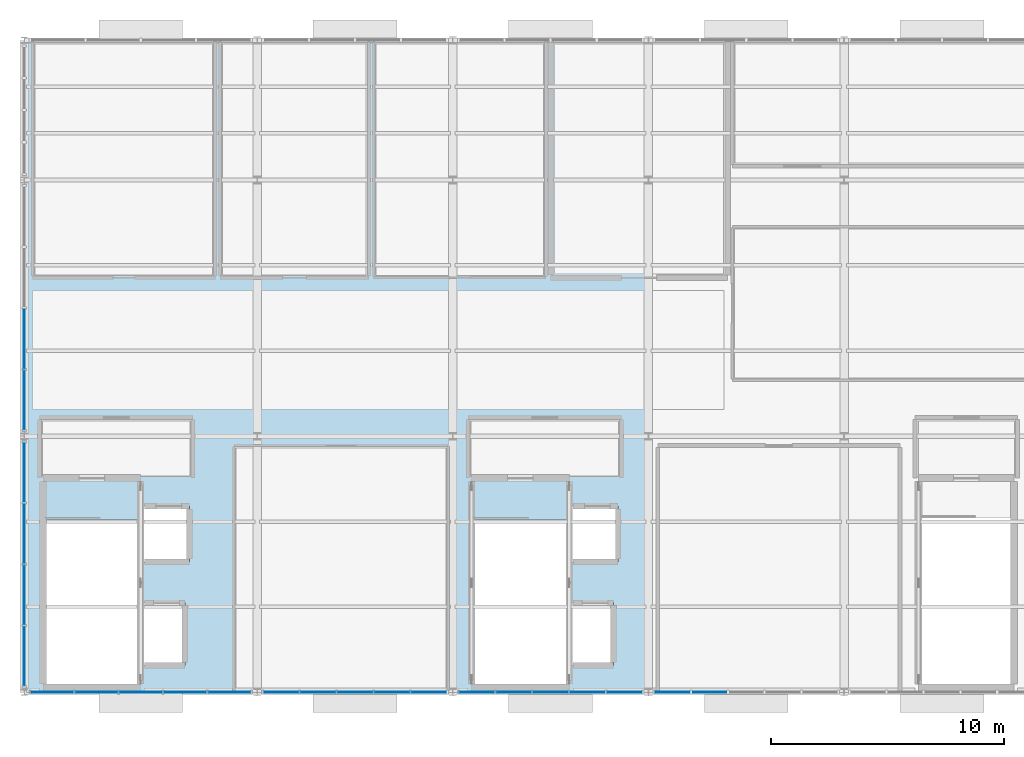
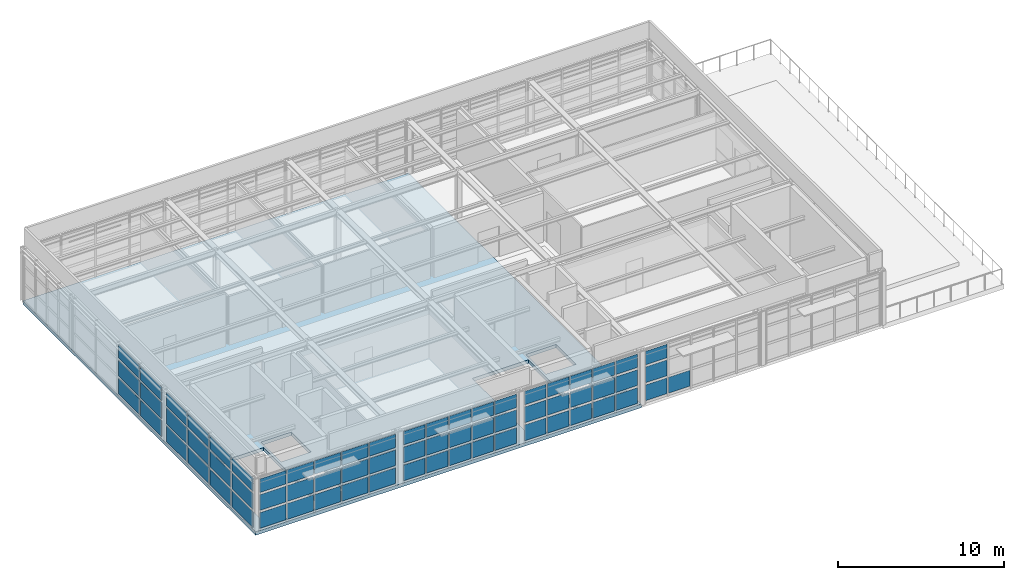
# One storey, part 11 of 18: 67 plates, 1 slab, 6 elements without a shape of their own.
"""IFC4 building model written with IfcOpenShell, lengths in metres."""

from ifc_helpers import new_model, si_unit, direction, frame, origin, origin_2d, place, context, subcontext, project, spatial, polyline, rectangle, outline, extrude, material, layer, layer_set, type_object, element, aggregate, save


model = new_model("IFC4")

# Units and contexts
model_context = context("Model", 3, precision=1e-05, world=origin(), true_north=direction((0.0, 1.0)))
body_context = subcontext(model_context, "Body", "Model", "MODEL_VIEW")
ifc_project = project(units=[si_unit("LENGTHUNIT", "METRE"), si_unit("AREAUNIT", "SQUARE_METRE"), si_unit("VOLUMEUNIT", "CUBIC_METRE"), si_unit("PLANEANGLEUNIT", "RADIAN"), si_unit("MASSUNIT", "GRAM", prefix="KILO")], contexts=[model_context])

# Site, building, storey
site_placement = place(None, origin())
site = spatial("IfcSite", under=ifc_project, at=site_placement, CompositionType="ELEMENT")
building_placement = place(site_placement, origin())
building = spatial("IfcBuilding", under=site, at=building_placement, Name="Sitalva Quay Ferry Terminal", CompositionType="ELEMENT")
storey_placement = place(building_placement, frame((0.0, 0.0, 18.60009765625)))
storey = spatial("IfcBuildingStorey", under=building, at=storey_placement, Name="L05", CompositionType="ELEMENT", Elevation=18.60009765625)

# Curtain wall, plates
ifc_material_1 = material(Name="Anodised Aluminium & Low-E Glazing", Category="aluminium")
ifc_layer_1 = layer(ifc_material_1, 0.159912109375)
ifc_layer_set_1 = layer_set([ifc_layer_1], Name="Anodised Aluminium & Low-E Glazing")
curtain_wall_type = type_object("IfcCurtainWallType", Name="CW_VTS_Sloped", PredefinedType="USERDEFINED", material=ifc_layer_set_1)
curtain_wall_1_placement = place(storey_placement, origin())
curtain_wall_1 = element("IfcCurtainWall", 1, at=curtain_wall_1_placement, inside=storey, type_object=curtain_wall_type, Name="L05 VTS west panoramic glazing (CW-L05-149)", ObjectType="CURTAIN_WALL", PredefinedType="USERDEFINED")
ifc_material_2 = material(Name="Acoustic Laminated Marine Glazing", Category="glass")
ifc_layer_2 = layer(ifc_material_2, 0.033935546875)
ifc_layer_set_2 = layer_set([ifc_layer_2], Name="Acoustic Laminated Marine Glazing")
plate_type = type_object("IfcPlateType", Name="Panel_Marine_IGU_34", PredefinedType="CURTAIN_PANEL", material=ifc_layer_set_2)
plate_1_placement = place(storey_placement, frame((74.0, 79.554931640625, 0.1650390625), z_axis=(0.0, 0.0, 1.0), x_axis=(0.0, 1.0, 0.0)))
plate_1 = element("IfcPlate", 2, at=plate_1_placement, type_object=plate_type, Name="CW-L05-149-P0-0", PredefinedType="CURTAIN_PANEL", context=body_context, shape_type="SweptSolid", body=[
    extrude(rectangle(XDim=2.5400390625, YDim=0.033935546875, at=origin_2d()), origin(), (0.0, 0.0, 1.0), 1.155029296875),
])
plate_2_placement = place(storey_placement, frame((74.0, 79.554931640625, 1.48486328125), z_axis=(0.0, 0.0, 1.0), x_axis=(0.0, 1.0, 0.0)))
plate_2 = element("IfcPlate", 3, at=plate_2_placement, type_object=plate_type, Name="CW-L05-149-P0-1", PredefinedType="CURTAIN_PANEL", context=body_context, shape_type="SweptSolid", body=[
    extrude(rectangle(XDim=2.5400390625, YDim=0.033935546875, at=origin_2d()), origin(), (0.0, 0.0, 1.0), 1.155029296875),
])
plate_3_placement = place(storey_placement, frame((74.0, 79.554931640625, 2.8046875), z_axis=(0.0, 0.0, 1.0), x_axis=(0.0, 1.0, 0.0)))
plate_3 = element("IfcPlate", 4, at=plate_3_placement, type_object=plate_type, Name="CW-L05-149-P0-2", PredefinedType="CURTAIN_PANEL", context=body_context, shape_type="SweptSolid", body=[
    extrude(rectangle(XDim=2.5400390625, YDim=0.033935546875, at=origin_2d()), origin(), (0.0, 0.0, 1.0), 0.989990234375),
])
plate_4_placement = place(storey_placement, frame((74.0, 82.18505859375, 0.1650390625), z_axis=(0.0, 0.0, 1.0), x_axis=(0.0, 1.0, 0.0)))
plate_4 = element("IfcPlate", 5, at=plate_4_placement, type_object=plate_type, Name="CW-L05-149-P1-0", PredefinedType="CURTAIN_PANEL", context=body_context, shape_type="SweptSolid", body=[
    extrude(rectangle(XDim=2.5400390625, YDim=0.033935546875, at=origin_2d()), origin(), (0.0, 0.0, 1.0), 1.155029296875),
])
plate_5_placement = place(storey_placement, frame((74.0, 82.18505859375, 1.48486328125), z_axis=(0.0, 0.0, 1.0), x_axis=(0.0, 1.0, 0.0)))
plate_5 = element("IfcPlate", 6, at=plate_5_placement, type_object=plate_type, Name="CW-L05-149-P1-1", PredefinedType="CURTAIN_PANEL", context=body_context, shape_type="SweptSolid", body=[
    extrude(rectangle(XDim=2.5400390625, YDim=0.033935546875, at=origin_2d()), origin(), (0.0, 0.0, 1.0), 1.155029296875),
])
plate_6_placement = place(storey_placement, frame((74.0, 82.18505859375, 2.8046875), z_axis=(0.0, 0.0, 1.0), x_axis=(0.0, 1.0, 0.0)))
plate_6 = element("IfcPlate", 7, at=plate_6_placement, type_object=plate_type, Name="CW-L05-149-P1-2", PredefinedType="CURTAIN_PANEL", context=body_context, shape_type="SweptSolid", body=[
    extrude(rectangle(XDim=2.5400390625, YDim=0.033935546875, at=origin_2d()), origin(), (0.0, 0.0, 1.0), 0.989990234375),
])
plate_7_placement = place(storey_placement, frame((74.0, 84.81494140625, 0.1650390625), z_axis=(0.0, 0.0, 1.0), x_axis=(0.0, 1.0, 0.0)))
plate_7 = element("IfcPlate", 8, at=plate_7_placement, type_object=plate_type, Name="CW-L05-149-P2-0", PredefinedType="CURTAIN_PANEL", context=body_context, shape_type="SweptSolid", body=[
    extrude(rectangle(XDim=2.5400390625, YDim=0.033935546875, at=origin_2d()), origin(), (0.0, 0.0, 1.0), 1.155029296875),
])
plate_8_placement = place(storey_placement, frame((74.0, 84.81494140625, 1.48486328125), z_axis=(0.0, 0.0, 1.0), x_axis=(0.0, 1.0, 0.0)))
plate_8 = element("IfcPlate", 9, at=plate_8_placement, type_object=plate_type, Name="CW-L05-149-P2-1", PredefinedType="CURTAIN_PANEL", context=body_context, shape_type="SweptSolid", body=[
    extrude(rectangle(XDim=2.5400390625, YDim=0.033935546875, at=origin_2d()), origin(), (0.0, 0.0, 1.0), 1.155029296875),
])
plate_9_placement = place(storey_placement, frame((74.0, 84.81494140625, 2.8046875), z_axis=(0.0, 0.0, 1.0), x_axis=(0.0, 1.0, 0.0)))
plate_9 = element("IfcPlate", 10, at=plate_9_placement, type_object=plate_type, Name="CW-L05-149-P2-2", PredefinedType="CURTAIN_PANEL", context=body_context, shape_type="SweptSolid", body=[
    extrude(rectangle(XDim=2.5400390625, YDim=0.033935546875, at=origin_2d()), origin(), (0.0, 0.0, 1.0), 0.989990234375),
])
plate_10_placement = place(storey_placement, frame((74.0, 87.445068359375, 0.1650390625), z_axis=(0.0, 0.0, 1.0), x_axis=(0.0, 1.0, 0.0)))
plate_10 = element("IfcPlate", 11, at=plate_10_placement, type_object=plate_type, Name="CW-L05-149-P3-0", PredefinedType="CURTAIN_PANEL", context=body_context, shape_type="SweptSolid", body=[
    extrude(rectangle(XDim=2.5400390625, YDim=0.033935546875, at=origin_2d()), origin(), (0.0, 0.0, 1.0), 1.155029296875),
])
plate_11_placement = place(storey_placement, frame((74.0, 87.445068359375, 1.48486328125), z_axis=(0.0, 0.0, 1.0), x_axis=(0.0, 1.0, 0.0)))
plate_11 = element("IfcPlate", 12, at=plate_11_placement, type_object=plate_type, Name="CW-L05-149-P3-1", PredefinedType="CURTAIN_PANEL", context=body_context, shape_type="SweptSolid", body=[
    extrude(rectangle(XDim=2.5400390625, YDim=0.033935546875, at=origin_2d()), origin(), (0.0, 0.0, 1.0), 1.155029296875),
])
plate_12_placement = place(storey_placement, frame((74.0, 87.445068359375, 2.8046875), z_axis=(0.0, 0.0, 1.0), x_axis=(0.0, 1.0, 0.0)))
plate_12 = element("IfcPlate", 13, at=plate_12_placement, type_object=plate_type, Name="CW-L05-149-P3-2", PredefinedType="CURTAIN_PANEL", context=body_context, shape_type="SweptSolid", body=[
    extrude(rectangle(XDim=2.5400390625, YDim=0.033935546875, at=origin_2d()), origin(), (0.0, 0.0, 1.0), 0.989990234375),
])
aggregate(curtain_wall_1, [plate_1, plate_2, plate_3, plate_4, plate_5, plate_6, plate_7, plate_8, plate_9, plate_10, plate_11, plate_12])

curtain_wall_2_placement = place(storey_placement, origin())
curtain_wall_2 = element("IfcCurtainWall", 14, at=curtain_wall_2_placement, inside=storey, type_object=curtain_wall_type, Name="L05 VTS west panoramic glazing (CW-L05-151)", ObjectType="CURTAIN_WALL", PredefinedType="USERDEFINED")
plate_13_placement = place(storey_placement, frame((74.0, 90.554931640625, 0.1650390625), z_axis=(0.0, 0.0, 1.0), x_axis=(0.0, 1.0, 0.0)))
plate_13 = element("IfcPlate", 15, at=plate_13_placement, type_object=plate_type, Name="CW-L05-151-P0-0", PredefinedType="CURTAIN_PANEL", context=body_context, shape_type="SweptSolid", body=[
    extrude(rectangle(XDim=2.5400390625, YDim=0.033935546875, at=origin_2d()), origin(), (0.0, 0.0, 1.0), 1.155029296875),
])
plate_14_placement = place(storey_placement, frame((74.0, 90.554931640625, 1.48486328125), z_axis=(0.0, 0.0, 1.0), x_axis=(0.0, 1.0, 0.0)))
plate_14 = element("IfcPlate", 16, at=plate_14_placement, type_object=plate_type, Name="CW-L05-151-P0-1", PredefinedType="CURTAIN_PANEL", context=body_context, shape_type="SweptSolid", body=[
    extrude(rectangle(XDim=2.5400390625, YDim=0.033935546875, at=origin_2d()), origin(), (0.0, 0.0, 1.0), 1.155029296875),
])
plate_15_placement = place(storey_placement, frame((74.0, 90.554931640625, 2.8046875), z_axis=(0.0, 0.0, 1.0), x_axis=(0.0, 1.0, 0.0)))
plate_15 = element("IfcPlate", 17, at=plate_15_placement, type_object=plate_type, Name="CW-L05-151-P0-2", PredefinedType="CURTAIN_PANEL", context=body_context, shape_type="SweptSolid", body=[
    extrude(rectangle(XDim=2.5400390625, YDim=0.033935546875, at=origin_2d()), origin(), (0.0, 0.0, 1.0), 0.989990234375),
])
plate_16_placement = place(storey_placement, frame((74.0, 93.18505859375, 0.1650390625), z_axis=(0.0, 0.0, 1.0), x_axis=(0.0, 1.0, 0.0)))
plate_16 = element("IfcPlate", 18, at=plate_16_placement, type_object=plate_type, Name="CW-L05-151-P1-0", PredefinedType="CURTAIN_PANEL", context=body_context, shape_type="SweptSolid", body=[
    extrude(rectangle(XDim=2.5400390625, YDim=0.033935546875, at=origin_2d()), origin(), (0.0, 0.0, 1.0), 1.155029296875),
])
plate_17_placement = place(storey_placement, frame((74.0, 93.18505859375, 1.48486328125), z_axis=(0.0, 0.0, 1.0), x_axis=(0.0, 1.0, 0.0)))
plate_17 = element("IfcPlate", 19, at=plate_17_placement, type_object=plate_type, Name="CW-L05-151-P1-1", PredefinedType="CURTAIN_PANEL", context=body_context, shape_type="SweptSolid", body=[
    extrude(rectangle(XDim=2.5400390625, YDim=0.033935546875, at=origin_2d()), origin(), (0.0, 0.0, 1.0), 1.155029296875),
])
plate_18_placement = place(storey_placement, frame((74.0, 93.18505859375, 2.8046875), z_axis=(0.0, 0.0, 1.0), x_axis=(0.0, 1.0, 0.0)))
plate_18 = element("IfcPlate", 20, at=plate_18_placement, type_object=plate_type, Name="CW-L05-151-P1-2", PredefinedType="CURTAIN_PANEL", context=body_context, shape_type="SweptSolid", body=[
    extrude(rectangle(XDim=2.5400390625, YDim=0.033935546875, at=origin_2d()), origin(), (0.0, 0.0, 1.0), 0.989990234375),
])
aggregate(curtain_wall_2, [plate_13, plate_14, plate_15, plate_16, plate_17, plate_18])

curtain_wall_3_placement = place(storey_placement, origin())
curtain_wall_3 = element("IfcCurtainWall", 21, at=curtain_wall_3_placement, inside=storey, type_object=curtain_wall_type, Name="L05 VTS river-view panoramic south glazing (CW-L05-154)", ObjectType="CURTAIN_WALL", PredefinedType="USERDEFINED")
plate_19_placement = place(storey_placement, frame((75.19189453125, 78.0, 0.1650390625), z_axis=(0.0, 0.0, 1.0), x_axis=(1.0, 0.0, 0.0)))
plate_19 = element("IfcPlate", 22, at=plate_19_placement, type_object=plate_type, Name="CW-L05-154-P0-0", PredefinedType="CURTAIN_PANEL", context=body_context, shape_type="SweptSolid", body=[
    extrude(rectangle(XDim=1.81396484375, YDim=0.033935546875, at=origin_2d()), origin(), (0.0, 0.0, 1.0), 1.155029296875),
])
plate_20_placement = place(storey_placement, frame((75.19189453125, 78.0, 1.48486328125), z_axis=(0.0, 0.0, 1.0), x_axis=(1.0, 0.0, 0.0)))
plate_20 = element("IfcPlate", 23, at=plate_20_placement, type_object=plate_type, Name="CW-L05-154-P0-1", PredefinedType="CURTAIN_PANEL", context=body_context, shape_type="SweptSolid", body=[
    extrude(rectangle(XDim=1.81396484375, YDim=0.033935546875, at=origin_2d()), origin(), (0.0, 0.0, 1.0), 1.155029296875),
])
plate_21_placement = place(storey_placement, frame((75.19189453125, 78.0, 2.8046875), z_axis=(0.0, 0.0, 1.0), x_axis=(1.0, 0.0, 0.0)))
plate_21 = element("IfcPlate", 24, at=plate_21_placement, type_object=plate_type, Name="CW-L05-154-P0-2", PredefinedType="CURTAIN_PANEL", context=body_context, shape_type="SweptSolid", body=[
    extrude(rectangle(XDim=1.81396484375, YDim=0.033935546875, at=origin_2d()), origin(), (0.0, 0.0, 1.0), 0.989990234375),
])
plate_22_placement = place(storey_placement, frame((77.095947265625, 78.0, 0.1650390625), z_axis=(0.0, 0.0, 1.0), x_axis=(1.0, 0.0, 0.0)))
plate_22 = element("IfcPlate", 25, at=plate_22_placement, type_object=plate_type, Name="CW-L05-154-P1-0", PredefinedType="CURTAIN_PANEL", context=body_context, shape_type="SweptSolid", body=[
    extrude(rectangle(XDim=1.81396484375, YDim=0.033935546875, at=origin_2d()), origin(), (0.0, 0.0, 1.0), 1.155029296875),
])
plate_23_placement = place(storey_placement, frame((77.095947265625, 78.0, 1.48486328125), z_axis=(0.0, 0.0, 1.0), x_axis=(1.0, 0.0, 0.0)))
plate_23 = element("IfcPlate", 26, at=plate_23_placement, type_object=plate_type, Name="CW-L05-154-P1-1", PredefinedType="CURTAIN_PANEL", context=body_context, shape_type="SweptSolid", body=[
    extrude(rectangle(XDim=1.81396484375, YDim=0.033935546875, at=origin_2d()), origin(), (0.0, 0.0, 1.0), 1.155029296875),
])
plate_24_placement = place(storey_placement, frame((77.095947265625, 78.0, 2.8046875), z_axis=(0.0, 0.0, 1.0), x_axis=(1.0, 0.0, 0.0)))
plate_24 = element("IfcPlate", 27, at=plate_24_placement, type_object=plate_type, Name="CW-L05-154-P1-2", PredefinedType="CURTAIN_PANEL", context=body_context, shape_type="SweptSolid", body=[
    extrude(rectangle(XDim=1.81396484375, YDim=0.033935546875, at=origin_2d()), origin(), (0.0, 0.0, 1.0), 0.989990234375),
])
plate_25_placement = place(storey_placement, frame((79.0, 78.0, 0.1650390625), z_axis=(0.0, 0.0, 1.0), x_axis=(1.0, 0.0, 0.0)))
plate_25 = element("IfcPlate", 28, at=plate_25_placement, type_object=plate_type, Name="CW-L05-154-P2-0", PredefinedType="CURTAIN_PANEL", context=body_context, shape_type="SweptSolid", body=[
    extrude(rectangle(XDim=1.81396484375, YDim=0.033935546875, at=origin_2d()), origin(), (0.0, 0.0, 1.0), 1.155029296875),
])
plate_26_placement = place(storey_placement, frame((79.0, 78.0, 1.48486328125), z_axis=(0.0, 0.0, 1.0), x_axis=(1.0, 0.0, 0.0)))
plate_26 = element("IfcPlate", 29, at=plate_26_placement, type_object=plate_type, Name="CW-L05-154-P2-1", PredefinedType="CURTAIN_PANEL", context=body_context, shape_type="SweptSolid", body=[
    extrude(rectangle(XDim=1.81396484375, YDim=0.033935546875, at=origin_2d()), origin(), (0.0, 0.0, 1.0), 1.155029296875),
])
plate_27_placement = place(storey_placement, frame((79.0, 78.0, 2.8046875), z_axis=(0.0, 0.0, 1.0), x_axis=(1.0, 0.0, 0.0)))
plate_27 = element("IfcPlate", 30, at=plate_27_placement, type_object=plate_type, Name="CW-L05-154-P2-2", PredefinedType="CURTAIN_PANEL", context=body_context, shape_type="SweptSolid", body=[
    extrude(rectangle(XDim=1.81396484375, YDim=0.033935546875, at=origin_2d()), origin(), (0.0, 0.0, 1.0), 0.989990234375),
])
plate_28_placement = place(storey_placement, frame((80.904052734375, 78.0, 0.1650390625), z_axis=(0.0, 0.0, 1.0), x_axis=(1.0, 0.0, 0.0)))
plate_28 = element("IfcPlate", 31, at=plate_28_placement, type_object=plate_type, Name="CW-L05-154-P3-0", PredefinedType="CURTAIN_PANEL", context=body_context, shape_type="SweptSolid", body=[
    extrude(rectangle(XDim=1.81396484375, YDim=0.033935546875, at=origin_2d()), origin(), (0.0, 0.0, 1.0), 1.155029296875),
])
plate_29_placement = place(storey_placement, frame((80.904052734375, 78.0, 1.48486328125), z_axis=(0.0, 0.0, 1.0), x_axis=(1.0, 0.0, 0.0)))
plate_29 = element("IfcPlate", 32, at=plate_29_placement, type_object=plate_type, Name="CW-L05-154-P3-1", PredefinedType="CURTAIN_PANEL", context=body_context, shape_type="SweptSolid", body=[
    extrude(rectangle(XDim=1.81396484375, YDim=0.033935546875, at=origin_2d()), origin(), (0.0, 0.0, 1.0), 1.155029296875),
])
plate_30_placement = place(storey_placement, frame((80.904052734375, 78.0, 2.8046875), z_axis=(0.0, 0.0, 1.0), x_axis=(1.0, 0.0, 0.0)))
plate_30 = element("IfcPlate", 33, at=plate_30_placement, type_object=plate_type, Name="CW-L05-154-P3-2", PredefinedType="CURTAIN_PANEL", context=body_context, shape_type="SweptSolid", body=[
    extrude(rectangle(XDim=1.81396484375, YDim=0.033935546875, at=origin_2d()), origin(), (0.0, 0.0, 1.0), 0.989990234375),
])
plate_31_placement = place(storey_placement, frame((82.80810546875, 78.0, 0.1650390625), z_axis=(0.0, 0.0, 1.0), x_axis=(1.0, 0.0, 0.0)))
plate_31 = element("IfcPlate", 34, at=plate_31_placement, type_object=plate_type, Name="CW-L05-154-P4-0", PredefinedType="CURTAIN_PANEL", context=body_context, shape_type="SweptSolid", body=[
    extrude(rectangle(XDim=1.81396484375, YDim=0.033935546875, at=origin_2d()), origin(), (0.0, 0.0, 1.0), 1.155029296875),
])
plate_32_placement = place(storey_placement, frame((82.80810546875, 78.0, 1.48486328125), z_axis=(0.0, 0.0, 1.0), x_axis=(1.0, 0.0, 0.0)))
plate_32 = element("IfcPlate", 35, at=plate_32_placement, type_object=plate_type, Name="CW-L05-154-P4-1", PredefinedType="CURTAIN_PANEL", context=body_context, shape_type="SweptSolid", body=[
    extrude(rectangle(XDim=1.81396484375, YDim=0.033935546875, at=origin_2d()), origin(), (0.0, 0.0, 1.0), 1.155029296875),
])
plate_33_placement = place(storey_placement, frame((82.80810546875, 78.0, 2.8046875), z_axis=(0.0, 0.0, 1.0), x_axis=(1.0, 0.0, 0.0)))
plate_33 = element("IfcPlate", 36, at=plate_33_placement, type_object=plate_type, Name="CW-L05-154-P4-2", PredefinedType="CURTAIN_PANEL", context=body_context, shape_type="SweptSolid", body=[
    extrude(rectangle(XDim=1.81396484375, YDim=0.033935546875, at=origin_2d()), origin(), (0.0, 0.0, 1.0), 0.989990234375),
])
aggregate(curtain_wall_3, [plate_19, plate_20, plate_21, plate_22, plate_23, plate_24, plate_25, plate_26, plate_27, plate_28, plate_29, plate_30, plate_31, plate_32, plate_33])

curtain_wall_4_placement = place(storey_placement, origin())
curtain_wall_4 = element("IfcCurtainWall", 37, at=curtain_wall_4_placement, inside=storey, type_object=curtain_wall_type, Name="L05 VTS river-view panoramic south glazing (CW-L05-156)", ObjectType="CURTAIN_WALL", PredefinedType="USERDEFINED")
plate_34_placement = place(storey_placement, frame((85.031982421875, 78.0, 0.1650390625), z_axis=(0.0, 0.0, 1.0), x_axis=(1.0, 0.0, 0.0)))
plate_34 = element("IfcPlate", 38, at=plate_34_placement, type_object=plate_type, Name="CW-L05-156-P0-0", PredefinedType="CURTAIN_PANEL", context=body_context, shape_type="SweptSolid", body=[
    extrude(rectangle(XDim=1.493896484375, YDim=0.033935546875, at=origin_2d()), origin(), (0.0, 0.0, 1.0), 1.155029296875),
])
plate_35_placement = place(storey_placement, frame((85.031982421875, 78.0, 1.48486328125), z_axis=(0.0, 0.0, 1.0), x_axis=(1.0, 0.0, 0.0)))
plate_35 = element("IfcPlate", 39, at=plate_35_placement, type_object=plate_type, Name="CW-L05-156-P0-1", PredefinedType="CURTAIN_PANEL", context=body_context, shape_type="SweptSolid", body=[
    extrude(rectangle(XDim=1.493896484375, YDim=0.033935546875, at=origin_2d()), origin(), (0.0, 0.0, 1.0), 1.155029296875),
])
plate_36_placement = place(storey_placement, frame((85.031982421875, 78.0, 2.8046875), z_axis=(0.0, 0.0, 1.0), x_axis=(1.0, 0.0, 0.0)))
plate_36 = element("IfcPlate", 40, at=plate_36_placement, type_object=plate_type, Name="CW-L05-156-P0-2", PredefinedType="CURTAIN_PANEL", context=body_context, shape_type="SweptSolid", body=[
    extrude(rectangle(XDim=1.493896484375, YDim=0.033935546875, at=origin_2d()), origin(), (0.0, 0.0, 1.0), 0.989990234375),
])
plate_37_placement = place(storey_placement, frame((86.615966796875, 78.0, 0.1650390625), z_axis=(0.0, 0.0, 1.0), x_axis=(1.0, 0.0, 0.0)))
plate_37 = element("IfcPlate", 41, at=plate_37_placement, type_object=plate_type, Name="CW-L05-156-P1-0", PredefinedType="CURTAIN_PANEL", context=body_context, shape_type="SweptSolid", body=[
    extrude(rectangle(XDim=1.493896484375, YDim=0.033935546875, at=origin_2d()), origin(), (0.0, 0.0, 1.0), 1.155029296875),
])
plate_38_placement = place(storey_placement, frame((86.615966796875, 78.0, 1.48486328125), z_axis=(0.0, 0.0, 1.0), x_axis=(1.0, 0.0, 0.0)))
plate_38 = element("IfcPlate", 42, at=plate_38_placement, type_object=plate_type, Name="CW-L05-156-P1-1", PredefinedType="CURTAIN_PANEL", context=body_context, shape_type="SweptSolid", body=[
    extrude(rectangle(XDim=1.493896484375, YDim=0.033935546875, at=origin_2d()), origin(), (0.0, 0.0, 1.0), 1.155029296875),
])
plate_39_placement = place(storey_placement, frame((86.615966796875, 78.0, 2.8046875), z_axis=(0.0, 0.0, 1.0), x_axis=(1.0, 0.0, 0.0)))
plate_39 = element("IfcPlate", 43, at=plate_39_placement, type_object=plate_type, Name="CW-L05-156-P1-2", PredefinedType="CURTAIN_PANEL", context=body_context, shape_type="SweptSolid", body=[
    extrude(rectangle(XDim=1.493896484375, YDim=0.033935546875, at=origin_2d()), origin(), (0.0, 0.0, 1.0), 0.989990234375),
])
plate_40_placement = place(storey_placement, frame((88.199951171875, 78.0, 0.1650390625), z_axis=(0.0, 0.0, 1.0), x_axis=(1.0, 0.0, 0.0)))
plate_40 = element("IfcPlate", 44, at=plate_40_placement, type_object=plate_type, Name="CW-L05-156-P2-0", PredefinedType="CURTAIN_PANEL", context=body_context, shape_type="SweptSolid", body=[
    extrude(rectangle(XDim=1.493896484375, YDim=0.033935546875, at=origin_2d()), origin(), (0.0, 0.0, 1.0), 1.155029296875),
])
plate_41_placement = place(storey_placement, frame((88.199951171875, 78.0, 1.48486328125), z_axis=(0.0, 0.0, 1.0), x_axis=(1.0, 0.0, 0.0)))
plate_41 = element("IfcPlate", 45, at=plate_41_placement, type_object=plate_type, Name="CW-L05-156-P2-1", PredefinedType="CURTAIN_PANEL", context=body_context, shape_type="SweptSolid", body=[
    extrude(rectangle(XDim=1.493896484375, YDim=0.033935546875, at=origin_2d()), origin(), (0.0, 0.0, 1.0), 1.155029296875),
])
plate_42_placement = place(storey_placement, frame((88.199951171875, 78.0, 2.8046875), z_axis=(0.0, 0.0, 1.0), x_axis=(1.0, 0.0, 0.0)))
plate_42 = element("IfcPlate", 46, at=plate_42_placement, type_object=plate_type, Name="CW-L05-156-P2-2", PredefinedType="CURTAIN_PANEL", context=body_context, shape_type="SweptSolid", body=[
    extrude(rectangle(XDim=1.493896484375, YDim=0.033935546875, at=origin_2d()), origin(), (0.0, 0.0, 1.0), 0.989990234375),
])
plate_43_placement = place(storey_placement, frame((89.783935546875, 78.0, 0.1650390625), z_axis=(0.0, 0.0, 1.0), x_axis=(1.0, 0.0, 0.0)))
plate_43 = element("IfcPlate", 47, at=plate_43_placement, type_object=plate_type, Name="CW-L05-156-P3-0", PredefinedType="CURTAIN_PANEL", context=body_context, shape_type="SweptSolid", body=[
    extrude(rectangle(XDim=1.493896484375, YDim=0.033935546875, at=origin_2d()), origin(), (0.0, 0.0, 1.0), 1.155029296875),
])
plate_44_placement = place(storey_placement, frame((89.783935546875, 78.0, 1.48486328125), z_axis=(0.0, 0.0, 1.0), x_axis=(1.0, 0.0, 0.0)))
plate_44 = element("IfcPlate", 48, at=plate_44_placement, type_object=plate_type, Name="CW-L05-156-P3-1", PredefinedType="CURTAIN_PANEL", context=body_context, shape_type="SweptSolid", body=[
    extrude(rectangle(XDim=1.493896484375, YDim=0.033935546875, at=origin_2d()), origin(), (0.0, 0.0, 1.0), 1.155029296875),
])
plate_45_placement = place(storey_placement, frame((89.783935546875, 78.0, 2.8046875), z_axis=(0.0, 0.0, 1.0), x_axis=(1.0, 0.0, 0.0)))
plate_45 = element("IfcPlate", 49, at=plate_45_placement, type_object=plate_type, Name="CW-L05-156-P3-2", PredefinedType="CURTAIN_PANEL", context=body_context, shape_type="SweptSolid", body=[
    extrude(rectangle(XDim=1.493896484375, YDim=0.033935546875, at=origin_2d()), origin(), (0.0, 0.0, 1.0), 0.989990234375),
])
plate_46_placement = place(storey_placement, frame((91.367919921875, 78.0, 0.1650390625), z_axis=(0.0, 0.0, 1.0), x_axis=(1.0, 0.0, 0.0)))
plate_46 = element("IfcPlate", 50, at=plate_46_placement, type_object=plate_type, Name="CW-L05-156-P4-0", PredefinedType="CURTAIN_PANEL", context=body_context, shape_type="SweptSolid", body=[
    extrude(rectangle(XDim=1.493896484375, YDim=0.033935546875, at=origin_2d()), origin(), (0.0, 0.0, 1.0), 1.155029296875),
])
plate_47_placement = place(storey_placement, frame((91.367919921875, 78.0, 1.48486328125), z_axis=(0.0, 0.0, 1.0), x_axis=(1.0, 0.0, 0.0)))
plate_47 = element("IfcPlate", 51, at=plate_47_placement, type_object=plate_type, Name="CW-L05-156-P4-1", PredefinedType="CURTAIN_PANEL", context=body_context, shape_type="SweptSolid", body=[
    extrude(rectangle(XDim=1.493896484375, YDim=0.033935546875, at=origin_2d()), origin(), (0.0, 0.0, 1.0), 1.155029296875),
])
plate_48_placement = place(storey_placement, frame((91.367919921875, 78.0, 2.8046875), z_axis=(0.0, 0.0, 1.0), x_axis=(1.0, 0.0, 0.0)))
plate_48 = element("IfcPlate", 52, at=plate_48_placement, type_object=plate_type, Name="CW-L05-156-P4-2", PredefinedType="CURTAIN_PANEL", context=body_context, shape_type="SweptSolid", body=[
    extrude(rectangle(XDim=1.493896484375, YDim=0.033935546875, at=origin_2d()), origin(), (0.0, 0.0, 1.0), 0.989990234375),
])
aggregate(curtain_wall_4, [plate_34, plate_35, plate_36, plate_37, plate_38, plate_39, plate_40, plate_41, plate_42, plate_43, plate_44, plate_45, plate_46, plate_47, plate_48])

curtain_wall_5_placement = place(storey_placement, origin())
curtain_wall_5 = element("IfcCurtainWall", 53, at=curtain_wall_5_placement, inside=storey, type_object=curtain_wall_type, Name="L05 VTS river-view panoramic south glazing (CW-L05-158)", ObjectType="CURTAIN_WALL", PredefinedType="USERDEFINED")
plate_49_placement = place(storey_placement, frame((93.431884765625, 78.0, 0.1650390625), z_axis=(0.0, 0.0, 1.0), x_axis=(1.0, 0.0, 0.0)))
plate_49 = element("IfcPlate", 54, at=plate_49_placement, type_object=plate_type, Name="CW-L05-158-P0-0", PredefinedType="CURTAIN_PANEL", context=body_context, shape_type="SweptSolid", body=[
    extrude(rectangle(XDim=1.493896484375, YDim=0.033935546875, at=origin_2d()), origin(), (0.0, 0.0, 1.0), 1.155029296875),
])
plate_50_placement = place(storey_placement, frame((93.431884765625, 78.0, 1.48486328125), z_axis=(0.0, 0.0, 1.0), x_axis=(1.0, 0.0, 0.0)))
plate_50 = element("IfcPlate", 55, at=plate_50_placement, type_object=plate_type, Name="CW-L05-158-P0-1", PredefinedType="CURTAIN_PANEL", context=body_context, shape_type="SweptSolid", body=[
    extrude(rectangle(XDim=1.493896484375, YDim=0.033935546875, at=origin_2d()), origin(), (0.0, 0.0, 1.0), 1.155029296875),
])
plate_51_placement = place(storey_placement, frame((93.431884765625, 78.0, 2.8046875), z_axis=(0.0, 0.0, 1.0), x_axis=(1.0, 0.0, 0.0)))
plate_51 = element("IfcPlate", 56, at=plate_51_placement, type_object=plate_type, Name="CW-L05-158-P0-2", PredefinedType="CURTAIN_PANEL", context=body_context, shape_type="SweptSolid", body=[
    extrude(rectangle(XDim=1.493896484375, YDim=0.033935546875, at=origin_2d()), origin(), (0.0, 0.0, 1.0), 0.989990234375),
])
plate_52_placement = place(storey_placement, frame((95.01611328125, 78.0, 0.1650390625), z_axis=(0.0, 0.0, 1.0), x_axis=(1.0, 0.0, 0.0)))
plate_52 = element("IfcPlate", 57, at=plate_52_placement, type_object=plate_type, Name="CW-L05-158-P1-0", PredefinedType="CURTAIN_PANEL", context=body_context, shape_type="SweptSolid", body=[
    extrude(rectangle(XDim=1.493896484375, YDim=0.033935546875, at=origin_2d()), origin(), (0.0, 0.0, 1.0), 1.155029296875),
])
plate_53_placement = place(storey_placement, frame((95.01611328125, 78.0, 1.48486328125), z_axis=(0.0, 0.0, 1.0), x_axis=(1.0, 0.0, 0.0)))
plate_53 = element("IfcPlate", 58, at=plate_53_placement, type_object=plate_type, Name="CW-L05-158-P1-1", PredefinedType="CURTAIN_PANEL", context=body_context, shape_type="SweptSolid", body=[
    extrude(rectangle(XDim=1.493896484375, YDim=0.033935546875, at=origin_2d()), origin(), (0.0, 0.0, 1.0), 1.155029296875),
])
plate_54_placement = place(storey_placement, frame((95.01611328125, 78.0, 2.8046875), z_axis=(0.0, 0.0, 1.0), x_axis=(1.0, 0.0, 0.0)))
plate_54 = element("IfcPlate", 59, at=plate_54_placement, type_object=plate_type, Name="CW-L05-158-P1-2", PredefinedType="CURTAIN_PANEL", context=body_context, shape_type="SweptSolid", body=[
    extrude(rectangle(XDim=1.493896484375, YDim=0.033935546875, at=origin_2d()), origin(), (0.0, 0.0, 1.0), 0.989990234375),
])
plate_55_placement = place(storey_placement, frame((96.60009765625, 78.0, 0.1650390625), z_axis=(0.0, 0.0, 1.0), x_axis=(1.0, 0.0, 0.0)))
plate_55 = element("IfcPlate", 60, at=plate_55_placement, type_object=plate_type, Name="CW-L05-158-P2-0", PredefinedType="CURTAIN_PANEL", context=body_context, shape_type="SweptSolid", body=[
    extrude(rectangle(XDim=1.493896484375, YDim=0.033935546875, at=origin_2d()), origin(), (0.0, 0.0, 1.0), 1.155029296875),
])
plate_56_placement = place(storey_placement, frame((96.60009765625, 78.0, 1.48486328125), z_axis=(0.0, 0.0, 1.0), x_axis=(1.0, 0.0, 0.0)))
plate_56 = element("IfcPlate", 61, at=plate_56_placement, type_object=plate_type, Name="CW-L05-158-P2-1", PredefinedType="CURTAIN_PANEL", context=body_context, shape_type="SweptSolid", body=[
    extrude(rectangle(XDim=1.493896484375, YDim=0.033935546875, at=origin_2d()), origin(), (0.0, 0.0, 1.0), 1.155029296875),
])
plate_57_placement = place(storey_placement, frame((96.60009765625, 78.0, 2.8046875), z_axis=(0.0, 0.0, 1.0), x_axis=(1.0, 0.0, 0.0)))
plate_57 = element("IfcPlate", 62, at=plate_57_placement, type_object=plate_type, Name="CW-L05-158-P2-2", PredefinedType="CURTAIN_PANEL", context=body_context, shape_type="SweptSolid", body=[
    extrude(rectangle(XDim=1.493896484375, YDim=0.033935546875, at=origin_2d()), origin(), (0.0, 0.0, 1.0), 0.989990234375),
])
plate_58_placement = place(storey_placement, frame((98.18408203125, 78.0, 0.1650390625), z_axis=(0.0, 0.0, 1.0), x_axis=(1.0, 0.0, 0.0)))
plate_58 = element("IfcPlate", 63, at=plate_58_placement, type_object=plate_type, Name="CW-L05-158-P3-0", PredefinedType="CURTAIN_PANEL", context=body_context, shape_type="SweptSolid", body=[
    extrude(rectangle(XDim=1.493896484375, YDim=0.033935546875, at=origin_2d()), origin(), (0.0, 0.0, 1.0), 1.155029296875),
])
plate_59_placement = place(storey_placement, frame((98.18408203125, 78.0, 1.48486328125), z_axis=(0.0, 0.0, 1.0), x_axis=(1.0, 0.0, 0.0)))
plate_59 = element("IfcPlate", 64, at=plate_59_placement, type_object=plate_type, Name="CW-L05-158-P3-1", PredefinedType="CURTAIN_PANEL", context=body_context, shape_type="SweptSolid", body=[
    extrude(rectangle(XDim=1.493896484375, YDim=0.033935546875, at=origin_2d()), origin(), (0.0, 0.0, 1.0), 1.155029296875),
])
plate_60_placement = place(storey_placement, frame((98.18408203125, 78.0, 2.8046875), z_axis=(0.0, 0.0, 1.0), x_axis=(1.0, 0.0, 0.0)))
plate_60 = element("IfcPlate", 65, at=plate_60_placement, type_object=plate_type, Name="CW-L05-158-P3-2", PredefinedType="CURTAIN_PANEL", context=body_context, shape_type="SweptSolid", body=[
    extrude(rectangle(XDim=1.493896484375, YDim=0.033935546875, at=origin_2d()), origin(), (0.0, 0.0, 1.0), 0.989990234375),
])
plate_61_placement = place(storey_placement, frame((99.76806640625, 78.0, 0.1650390625), z_axis=(0.0, 0.0, 1.0), x_axis=(1.0, 0.0, 0.0)))
plate_61 = element("IfcPlate", 66, at=plate_61_placement, type_object=plate_type, Name="CW-L05-158-P4-0", PredefinedType="CURTAIN_PANEL", context=body_context, shape_type="SweptSolid", body=[
    extrude(rectangle(XDim=1.493896484375, YDim=0.033935546875, at=origin_2d()), origin(), (0.0, 0.0, 1.0), 1.155029296875),
])
plate_62_placement = place(storey_placement, frame((99.76806640625, 78.0, 1.48486328125), z_axis=(0.0, 0.0, 1.0), x_axis=(1.0, 0.0, 0.0)))
plate_62 = element("IfcPlate", 67, at=plate_62_placement, type_object=plate_type, Name="CW-L05-158-P4-1", PredefinedType="CURTAIN_PANEL", context=body_context, shape_type="SweptSolid", body=[
    extrude(rectangle(XDim=1.493896484375, YDim=0.033935546875, at=origin_2d()), origin(), (0.0, 0.0, 1.0), 1.155029296875),
])
plate_63_placement = place(storey_placement, frame((99.76806640625, 78.0, 2.8046875), z_axis=(0.0, 0.0, 1.0), x_axis=(1.0, 0.0, 0.0)))
plate_63 = element("IfcPlate", 68, at=plate_63_placement, type_object=plate_type, Name="CW-L05-158-P4-2", PredefinedType="CURTAIN_PANEL", context=body_context, shape_type="SweptSolid", body=[
    extrude(rectangle(XDim=1.493896484375, YDim=0.033935546875, at=origin_2d()), origin(), (0.0, 0.0, 1.0), 0.989990234375),
])
aggregate(curtain_wall_5, [plate_49, plate_50, plate_51, plate_52, plate_53, plate_54, plate_55, plate_56, plate_57, plate_58, plate_59, plate_60, plate_61, plate_62, plate_63])

curtain_wall_6_placement = place(storey_placement, origin())
curtain_wall_6 = element("IfcCurtainWall", 69, at=curtain_wall_6_placement, inside=storey, type_object=curtain_wall_type, Name="L05 VTS river-view panoramic south glazing (CW-L05-160)", ObjectType="CURTAIN_WALL", PredefinedType="USERDEFINED")
plate_64_placement = place(storey_placement, frame((101.83203125, 78.0, 0.1650390625), z_axis=(0.0, 0.0, 1.0), x_axis=(1.0, 0.0, 0.0)))
plate_64 = element("IfcPlate", 70, at=plate_64_placement, type_object=plate_type, Name="CW-L05-160-P0-0", PredefinedType="CURTAIN_PANEL", context=body_context, shape_type="SweptSolid", body=[
    extrude(rectangle(XDim=1.493896484375, YDim=0.033935546875, at=origin_2d()), origin(), (0.0, 0.0, 1.0), 1.155029296875),
])
plate_65_placement = place(storey_placement, frame((101.83203125, 78.0, 1.48486328125), z_axis=(0.0, 0.0, 1.0), x_axis=(1.0, 0.0, 0.0)))
plate_65 = element("IfcPlate", 71, at=plate_65_placement, type_object=plate_type, Name="CW-L05-160-P0-1", PredefinedType="CURTAIN_PANEL", context=body_context, shape_type="SweptSolid", body=[
    extrude(rectangle(XDim=1.493896484375, YDim=0.033935546875, at=origin_2d()), origin(), (0.0, 0.0, 1.0), 1.155029296875),
])
plate_66_placement = place(storey_placement, frame((101.83203125, 78.0, 2.8046875), z_axis=(0.0, 0.0, 1.0), x_axis=(1.0, 0.0, 0.0)))
plate_66 = element("IfcPlate", 72, at=plate_66_placement, type_object=plate_type, Name="CW-L05-160-P0-2", PredefinedType="CURTAIN_PANEL", context=body_context, shape_type="SweptSolid", body=[
    extrude(rectangle(XDim=1.493896484375, YDim=0.033935546875, at=origin_2d()), origin(), (0.0, 0.0, 1.0), 0.989990234375),
])
plate_67_placement = place(storey_placement, frame((103.416015625, 78.0, 0.1650390625), z_axis=(0.0, 0.0, 1.0), x_axis=(1.0, 0.0, 0.0)))
plate_67 = element("IfcPlate", 73, at=plate_67_placement, type_object=plate_type, Name="CW-L05-160-P1-0", PredefinedType="CURTAIN_PANEL", context=body_context, shape_type="SweptSolid", body=[
    extrude(rectangle(XDim=1.493896484375, YDim=0.033935546875, at=origin_2d()), origin(), (0.0, 0.0, 1.0), 1.155029296875),
])
aggregate(curtain_wall_6, [plate_64, plate_65, plate_66, plate_67])

# Slab
ifc_material_3 = material(Name="Concrete C35/45", Category="concrete")
ifc_layer_3 = layer(ifc_material_3, 0.25)
ifc_layer_set_3 = layer_set([ifc_layer_3], Name="Concrete C35/45")
slab_type = type_object("IfcSlabType", Name="Slab_Office_250", PredefinedType="FLOOR", material=ifc_layer_set_3)
slab_placement = place(storey_placement, frame((0.0, 0.0, -0.25)))
element("IfcSlab", 74, at=slab_placement, inside=storey, type_object=slab_type, Name="L05 VTS bridge L05 west 066", PredefinedType="FLOOR", context=body_context, shape_type="SweptSolid", body=[
    extrude(outline(polyline([(74.0, 78.0), (100.800048828125, 78.0), (100.800048828125, 106.0), (74.0, 106.0), (74.0, 78.0)]), holes=[polyline([(74.949951171875, 78.35009765625), (74.949951171875, 85.429931640625), (78.85009765625, 85.429931640625), (78.85009765625, 78.35009765625), (74.949951171875, 78.35009765625)]), polyline([(79.0, 79.14990234375), (79.0, 81.85009765625), (80.89990234375, 81.85009765625), (80.89990234375, 79.14990234375), (79.0, 79.14990234375)]), polyline([(79.0, 83.60009765625), (79.0, 86.0), (81.10009765625, 86.0), (81.10009765625, 83.60009765625), (79.0, 83.60009765625)]), polyline([(93.35009765625, 78.35009765625), (93.35009765625, 85.429931640625), (97.25, 85.429931640625), (97.25, 78.35009765625), (93.35009765625, 78.35009765625)]), polyline([(97.39990234375, 79.14990234375), (97.39990234375, 81.85009765625), (99.300048828125, 81.85009765625), (99.300048828125, 79.14990234375), (97.39990234375, 79.14990234375)]), polyline([(97.39990234375, 83.60009765625), (97.39990234375, 86.0), (99.5, 86.0), (99.5, 83.60009765625), (97.39990234375, 83.60009765625)])]), origin(), (0.0, 0.0, 1.0), 0.25),
])

save(model, "model.ifc")
